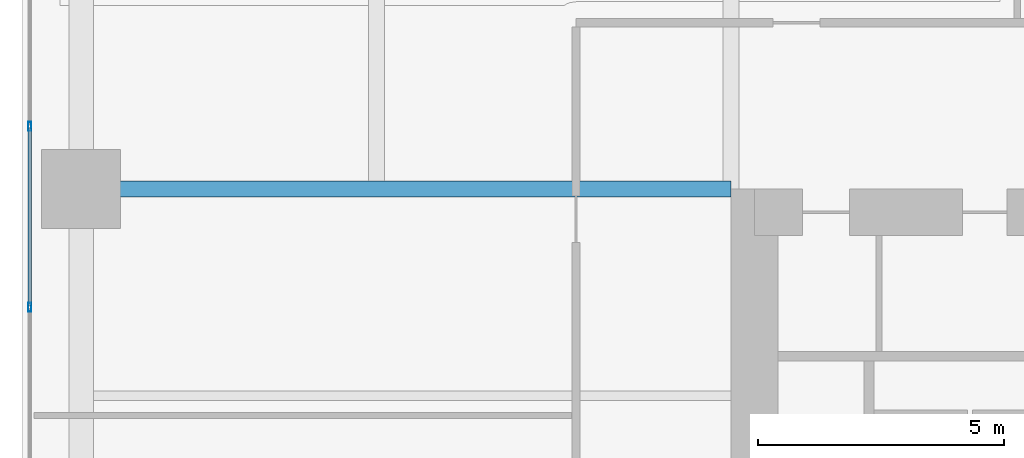
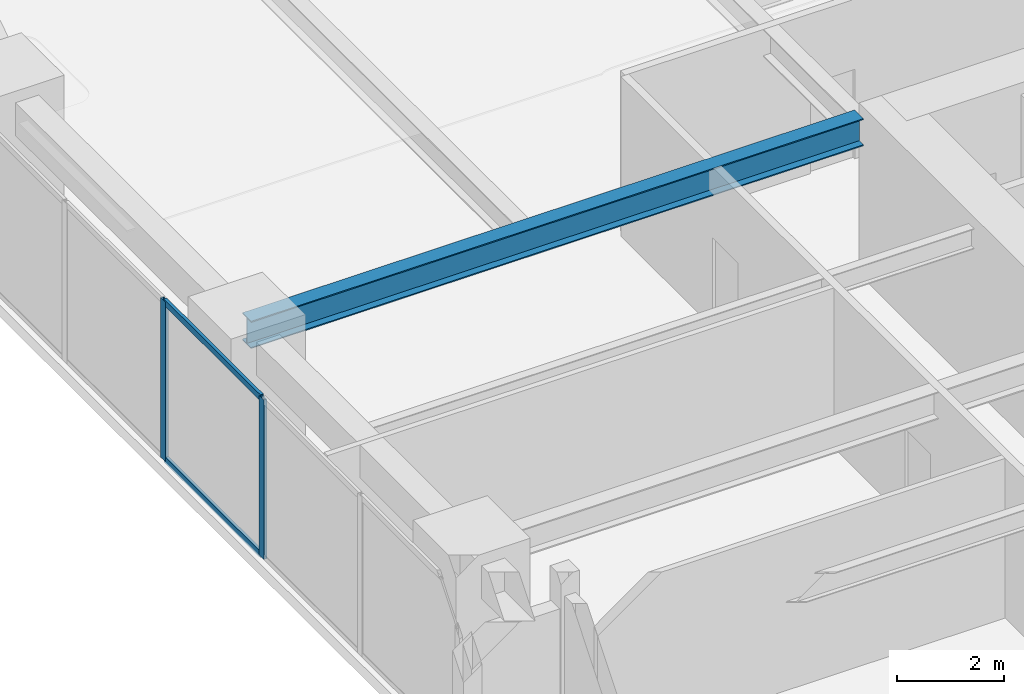
# One storey, part 8 of 24: 4 members, 1 beam, 1 element without a shape of its own.
"""IFC4 building model written with IfcOpenShell, lengths in metres."""

from ifc_helpers import new_model, si_unit, direction, frame, origin, origin_2d, place, context, subcontext, project, spatial, hollow_rectangle, i_section, extrude, material, layer, layer_set, material_profile, profile_set, type_object, element, aggregate, save


model = new_model("IFC4")

# Units and contexts
model_context = context("Model", 3, precision=1e-05, world=origin(), true_north=direction((0.0, 1.0)))
body_context = subcontext(model_context, "Body", "Model", "MODEL_VIEW")
ifc_project = project(units=[si_unit("LENGTHUNIT", "METRE"), si_unit("AREAUNIT", "SQUARE_METRE"), si_unit("VOLUMEUNIT", "CUBIC_METRE"), si_unit("PLANEANGLEUNIT", "RADIAN"), si_unit("MASSUNIT", "GRAM", prefix="KILO")], contexts=[model_context])

# Site, building, storey
site_placement = place(None, origin())
site = spatial("IfcSite", under=ifc_project, at=site_placement, CompositionType="ELEMENT")
building_placement = place(site_placement, origin())
building = spatial("IfcBuilding", under=site, at=building_placement, Name="Kiyonajd Concourse Tower", CompositionType="ELEMENT")
storey_placement = place(building_placement, frame((0.0, 0.0, 89.699951171875)))
storey = spatial("IfcBuildingStorey", under=building, at=storey_placement, Name="L23", CompositionType="ELEMENT", Elevation=89.699951171875)

# Beam
ifc_material_1 = material(Name="Steel ASTM A992 Grade 50", Category="steel")
ifc_material_profile_1 = material_profile(ifc_material_1, i_section(OverallWidth=0.326904296875, OverallDepth=0.6220703125, WebThickness=0.015380859375, FlangeThickness=0.0244140625, at=origin_2d()), Name="W610X195")
ifc_profile_set_1 = profile_set([ifc_material_profile_1], Name="Steel ASTM A992 Grade 50")
beam_type = type_object("IfcBeamType", Name="BM-TWR-610A", PredefinedType="BEAM", material=ifc_profile_set_1)
beam_placement = place(storey_placement, frame((19.199951171875, 44.39990234375, 3.3291015625), z_axis=(1.0, 0.0, 0.0), x_axis=(0.0, 1.0, 0.0)))
element("IfcBeam", 1, at=beam_placement, inside=storey, type_object=beam_type, Name="L23 West Lease Girder", PredefinedType="BEAM", context=body_context, shape_type="SweptSolid", body=[
    extrude(i_section(OverallWidth=0.326904296875, OverallDepth=0.6220703125, WebThickness=0.015380859375, FlangeThickness=0.0244140625, at=origin_2d()), origin(), (0.0, 0.0, 1.0), 13.199951171875),
])

# Curtain wall, members
ifc_material_2 = material(Name="Thermally Broken Anodised Aluminium", Category="aluminium")
ifc_layer = layer(ifc_material_2, 0.179931640625)
ifc_layer_set = layer_set([ifc_layer], Name="Thermally Broken Anodised Aluminium")
curtain_wall_type = type_object("IfcCurtainWallType", Name="CW-SYS-03", PredefinedType="NOTDEFINED", material=ifc_layer_set)
curtain_wall_placement = place(storey_placement, origin())
curtain_wall = element("IfcCurtainWall", 2, at=curtain_wall_placement, inside=storey, type_object=curtain_wall_type, Name="L23 Unitised Curtain Wall CW3", PredefinedType="NOTDEFINED")
ifc_material_profile_2 = material_profile(ifc_material_2, hollow_rectangle(XDim=0.06494140625, YDim=0.179931640625, WallThickness=0.00390625, at=origin_2d()), Name="MULL-65x180")
ifc_profile_set_2 = profile_set([ifc_material_profile_2], Name="Thermally Broken Anodised Aluminium")
member_type_1 = type_object("IfcMemberType", Name="MB-CW-MULL1", PredefinedType="MULLION", material=ifc_profile_set_2)
member_1_placement = place(storey_placement, frame((18.159912109375, 41.996337890625, 0.0), z_axis=(0.0, 0.0, 1.0), x_axis=(-1.0, 0.0, 0.0)))
member_1 = element("IfcMember", 3, at=member_1_placement, type_object=member_type_1, Name="CW3 mullion 3", PredefinedType="MULLION", context=body_context, shape_type="SweptSolid", body=[
    extrude(hollow_rectangle(XDim=0.06494140625, YDim=0.179931640625, WallThickness=0.00390625, at=origin_2d()), origin(), (0.0, 0.0, 1.0), 3.64013671875),
])
member_2_placement = place(storey_placement, frame((18.159912109375, 45.66943359375, 0.0), z_axis=(0.0, 0.0, 1.0), x_axis=(-1.0, 0.0, 0.0)))
member_2 = element("IfcMember", 4, at=member_2_placement, type_object=member_type_1, Name="CW3 mullion 4", PredefinedType="MULLION", context=body_context, shape_type="SweptSolid", body=[
    extrude(hollow_rectangle(XDim=0.06494140625, YDim=0.179931640625, WallThickness=0.00390625, at=origin_2d()), origin(), (0.0, 0.0, 1.0), 3.64013671875),
])
ifc_material_profile_3 = material_profile(ifc_material_2, hollow_rectangle(XDim=0.06494140625, YDim=0.139892578125, WallThickness=0.00390625, at=origin_2d()), Name="TRAN-65x140")
ifc_profile_set_3 = profile_set([ifc_material_profile_3], Name="Thermally Broken Anodised Aluminium")
member_type_2 = type_object("IfcMemberType", Name="MB-CW-TRAN1", PredefinedType="USERDEFINED", material=ifc_profile_set_3)
member_3_placement = place(storey_placement, frame((18.159912109375, 42.02880859375, 0.032470703125), z_axis=(0.0, 1.0, 0.0), x_axis=(-1.0, 0.0, 0.0)))
member_3 = element("IfcMember", 5, at=member_3_placement, type_object=member_type_2, Name="CW3 transom 3.1", ObjectType="TRANSOM", PredefinedType="USERDEFINED", context=body_context, shape_type="SweptSolid", body=[
    extrude(hollow_rectangle(XDim=0.06494140625, YDim=0.139892578125, WallThickness=0.00390625, at=origin_2d()), origin(), (0.0, 0.0, 1.0), 3.608154296875),
])
member_4_placement = place(storey_placement, frame((18.159912109375, 42.02880859375, 3.607666015625), z_axis=(0.0, 1.0, 0.0), x_axis=(-1.0, 0.0, 0.0)))
member_4 = element("IfcMember", 6, at=member_4_placement, type_object=member_type_2, Name="CW3 transom 3.2", ObjectType="TRANSOM", PredefinedType="USERDEFINED", context=body_context, shape_type="SweptSolid", body=[
    extrude(hollow_rectangle(XDim=0.06494140625, YDim=0.139892578125, WallThickness=0.00390625, at=origin_2d()), origin(), (0.0, 0.0, 1.0), 3.608154296875),
])
aggregate(curtain_wall, [member_1, member_2, member_3, member_4])

save(model, "model.ifc")
